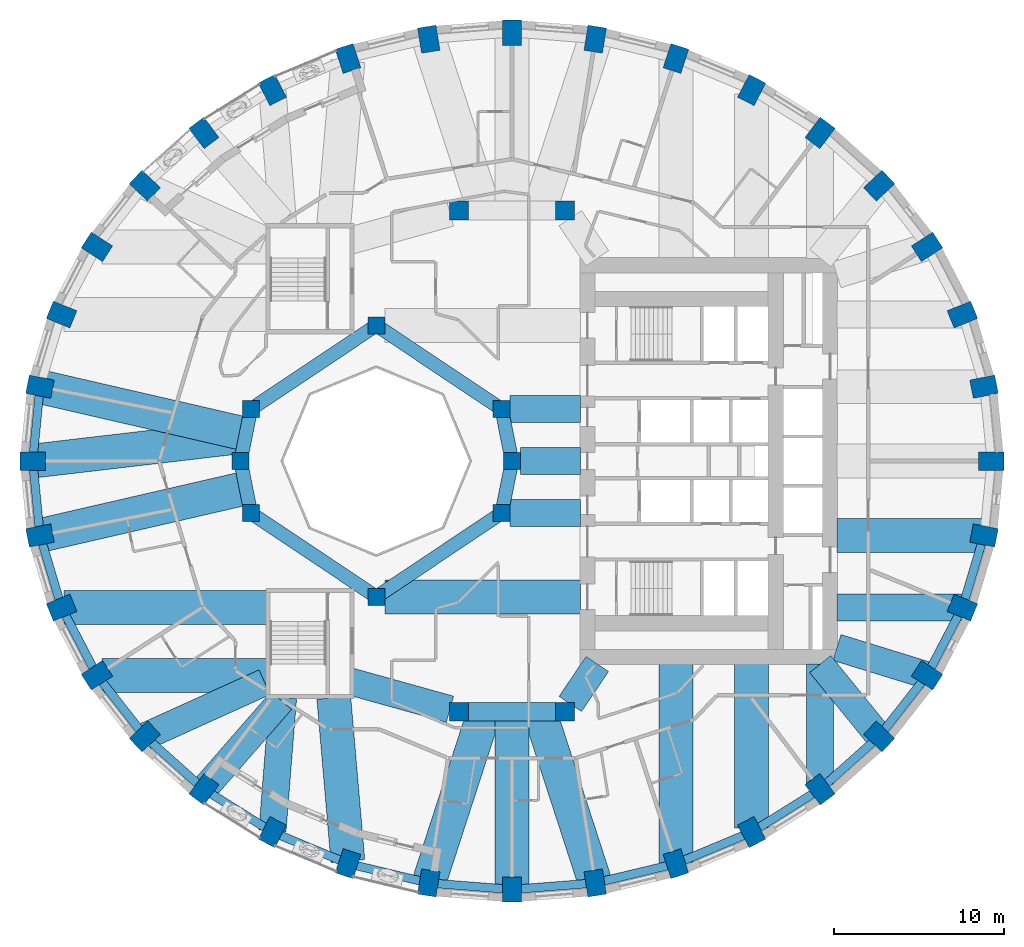
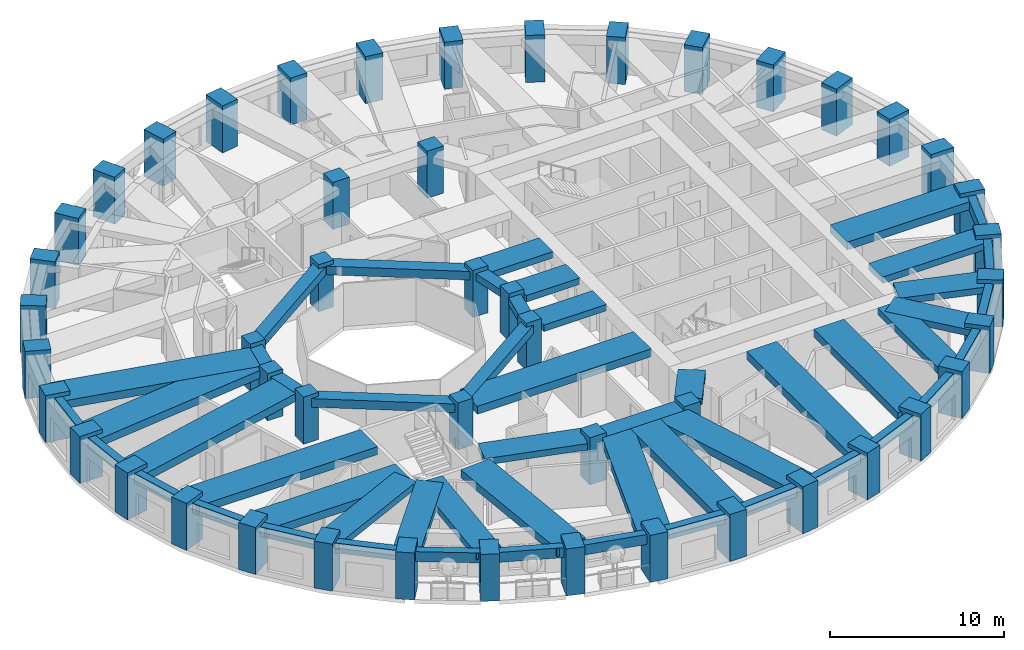
# One storey, part 1 of 13: 52 beams, 48 columns.
"""IFC4 building model written with IfcOpenShell, lengths in metres."""

from ifc_helpers import new_model, si_unit, direction, frame, origin, origin_2d, place, context, subcontext, project, spatial, rectangle, extrude, material, material_profile, profile_set, type_object, element, save


model = new_model("IFC4")

# Units and contexts
model_context = context("Model", 3, precision=1e-05, world=origin(), true_north=direction((0.0, 1.0)))
body_context = subcontext(model_context, "Body", "Model", "MODEL_VIEW")
ifc_project = project(units=[si_unit("LENGTHUNIT", "METRE"), si_unit("AREAUNIT", "SQUARE_METRE"), si_unit("VOLUMEUNIT", "CUBIC_METRE"), si_unit("PLANEANGLEUNIT", "RADIAN"), si_unit("MASSUNIT", "GRAM", prefix="KILO")], contexts=[model_context])

# Site, building, storey
site_placement = place(None, origin())
site = spatial("IfcSite", under=ifc_project, at=site_placement, CompositionType="ELEMENT")
building_placement = place(site_placement, origin())
building = spatial("IfcBuilding", under=site, at=building_placement, Name="Taillehof Tower", CompositionType="ELEMENT")
storey_placement = place(building_placement, frame((0.0, 0.0, 48.10009765625)))
storey = spatial("IfcBuildingStorey", under=building, at=storey_placement, Name="L12", CompositionType="ELEMENT", Elevation=48.10009765625)

# Columns
ifc_material_1 = material(Name="Concrete C50/60", Category="concrete")
ifc_material_profile_1 = material_profile(ifc_material_1, rectangle(XDim=1.0, YDim=1.0, at=origin_2d()), Name="RC 1000x1000")
ifc_profile_set_1 = profile_set([ifc_material_profile_1], Name="Concrete C50/60")
column_type_1 = type_object("IfcColumnType", Name="Atrium ring column C50/60 1000x1000", PredefinedType="COLUMN", material=ifc_profile_set_1)
for number, where, z_axis, x_axis, name in (
    (1, (0.0, 0.0, 0.0), (0.0, 0.0, 1.0), (1.0, 0.0, 0.0), "Column AC01"),
    (2, (-8.0, 8.0, 0.0), (0.0, 0.0, 1.0), (1.0, 0.0, 0.0), "Column AC05"),
    (3, (-15.39111328125, 3.0615234375, 0.0), (0.0, 0.0, 1.0), (1.0, 0.0, 0.0), "Column AC08"),
    (4, (-16.0, 0.0, 0.0), (0.0, 0.0, 1.0), (1.0, 0.0, 0.0), "Column AC09"),
    (5, (-15.39111328125, -3.0615234375, 0.0), (0.0, 0.0, 1.0), (1.0, 0.0, 0.0), "Column AC10"),
    (6, (-8.0, -8.0, 0.0), (0.0, 0.0, 1.0), (1.0, 0.0, 0.0), "Column AC13"),
):
    element("IfcColumn", number, at=place(storey_placement, frame(where, z_axis=z_axis, x_axis=x_axis)), inside=storey, type_object=column_type_1, Name=name, PredefinedType="COLUMN", context=body_context, shape_type="SweptSolid", body=[
        extrude(rectangle(XDim=1.0, YDim=1.0, at=origin_2d()), origin(), (0.0, 0.0, 1.0), 3.2998046875),
    ])
ifc_material_2 = material(Name="Concrete C60/75", Category="concrete")
ifc_material_profile_2 = material_profile(ifc_material_2, rectangle(XDim=1.0, YDim=1.0, at=origin_2d()), Name="RC 1000x1000")
ifc_profile_set_2 = profile_set([ifc_material_profile_2], Name="Concrete C60/75")
column_type_2 = type_object("IfcColumnType", Name="Atrium ring column C60/75 1000x1000", PredefinedType="COLUMN", material=ifc_profile_set_2)
for number, where, z_axis, x_axis, name in (
    (7, (-0.60888671875, 3.0615234375, 0.0), (0.0, 0.0, 1.0), (1.0, 0.0, 0.0), "Column AC02"),
    (8, (-0.60888671875, -3.0615234375, 0.0), (0.0, 0.0, 1.0), (1.0, 0.0, 0.0), "Column AC16"),
):
    element("IfcColumn", number, at=place(storey_placement, frame(where, z_axis=z_axis, x_axis=x_axis)), inside=storey, type_object=column_type_2, Name=name, PredefinedType="COLUMN", context=body_context, shape_type="SweptSolid", body=[
        extrude(rectangle(XDim=1.0, YDim=1.0, at=origin_2d()), origin(), (0.0, 0.0, 1.0), 3.2998046875),
    ])
ifc_material_3 = material(Name="Concrete C60/75", Category="concrete")
ifc_material_profile_3 = material_profile(ifc_material_3, rectangle(XDim=1.10009765625, YDim=1.10009765625, at=origin_2d()), Name="RC 1100x1100")
ifc_profile_set_3 = profile_set([ifc_material_profile_3], Name="Concrete C60/75")
column_type_3 = type_object("IfcColumnType", Name="Mid-ring column C60/75 1100x1100", PredefinedType="COLUMN", material=ifc_profile_set_3)
for number, where, z_axis, x_axis, name in (
    (9, (3.125732421875, 14.772216796875, 0.0), (0.0, 0.0, 1.0), (1.0, 0.0, 0.0), "Column MC05"),
    (10, (3.125732421875, -14.772216796875, 0.0), (0.0, 0.0, 1.0), (1.0, 0.0, 0.0), "Column MC15"),
):
    element("IfcColumn", number, at=place(storey_placement, frame(where, z_axis=z_axis, x_axis=x_axis)), inside=storey, type_object=column_type_3, Name=name, PredefinedType="COLUMN", context=body_context, shape_type="SweptSolid", body=[
        extrude(rectangle(XDim=1.10009765625, YDim=1.10009765625, at=origin_2d()), origin(), (0.0, 0.0, 1.0), 3.2998046875),
    ])
ifc_material_4 = material(Name="Concrete C70/85", Category="concrete")
ifc_material_profile_4 = material_profile(ifc_material_4, rectangle(XDim=1.10009765625, YDim=1.10009765625, at=origin_2d()), Name="RC 1100x1100")
ifc_profile_set_4 = profile_set([ifc_material_profile_4], Name="Concrete C70/85")
column_type_4 = type_object("IfcColumnType", Name="Mid-ring column C70/85 1100x1100", PredefinedType="COLUMN", material=ifc_profile_set_4)
for number, where, z_axis, x_axis, name in (
    (11, (-3.125732421875, 14.772216796875, 0.0), (0.0, 0.0, 1.0), (1.0, 0.0, 0.0), "Column MC06"),
    (12, (-3.125732421875, -14.772216796875, 0.0), (0.0, 0.0, 1.0), (1.0, 0.0, 0.0), "Column MC14"),
):
    element("IfcColumn", number, at=place(storey_placement, frame(where, z_axis=z_axis, x_axis=x_axis)), inside=storey, type_object=column_type_4, Name=name, PredefinedType="COLUMN", context=body_context, shape_type="SweptSolid", body=[
        extrude(rectangle(XDim=1.10009765625, YDim=1.10009765625, at=origin_2d()), origin(), (0.0, 0.0, 1.0), 3.2998046875),
    ])
ifc_material_5 = material(Name="Concrete C70/85", Category="concrete")
ifc_material_profile_5 = material_profile(ifc_material_5, rectangle(XDim=1.5, YDim=1.10009765625, at=origin_2d()), Name="RC 1500x1100")
ifc_profile_set_5 = profile_set([ifc_material_profile_5], Name="Concrete C70/85")
column_type_5 = type_object("IfcColumnType", Name="Ring column C70/85 1500x1100", PredefinedType="COLUMN", material=ifc_profile_set_5)
for number, where, z_axis, x_axis, name in (
    (13, (28.25, 0.0, 0.0), (0.0, 0.0, 1.0), (1.0, 0.0, 0.0), "Ring column RC01"),
    (14, (27.82080078125, 4.384521484375, 0.0), (0.0, 0.0, 1.0), (0.98120354895, 0.192975634545, 0.0), "Ring column RC02"),
    (15, (26.54638671875, 8.635986328125, 0.0), (0.0, 0.0, 1.0), (0.926558045297, 0.37615181602, 0.0), "Ring column RC03"),
    (16, (24.46533203125, 12.625, 0.0), (0.0, 0.0, 1.0), (0.840753565229, 0.541417992456, 0.0), "Ring column RC04"),
    (17, (21.640869140625, 16.23046875, 0.0), (0.0, 0.0, 1.0), (0.730113022917, 0.683326403535, 0.0), "Ring column RC05"),
    (18, (18.15869140625, 19.342529296875, 0.0), (0.0, 0.0, 1.0), (0.601173783055, 0.79911831575, 0.0), "Ring column RC06"),
    (19, (14.125, 21.8671875, 0.0), (0.0, 0.0, 1.0), (0.459691308511, 0.888078769524, 0.0), "Ring column RC07"),
    (20, (9.662109375, 23.727294921875, 0.0), (0.0, 0.0, 1.0), (0.310219183529, 0.950665060981, 0.0), "Ring column RC08"),
    (21, (4.905517578125, 24.866455078125, 0.0), (0.0, 0.0, 1.0), (0.15614709407, 0.987733812833, 0.0), "Ring column RC09"),
    (22, (0.0, 25.25, 0.0), (0.0, 0.0, 1.0), (0.0, 1.0, 0.0), "Ring column RC10"),
    (23, (-4.905517578125, 24.866455078125, 0.0), (0.0, 0.0, 1.0), (-0.15614709407, 0.987733812833, 0.0), "Ring column RC11"),
    (24, (-9.662109375, 23.727294921875, 0.0), (0.0, 0.0, 1.0), (-0.310219183529, 0.950665060981, 0.0), "Ring column RC12"),
    (25, (-14.125, 21.8671875, 0.0), (0.0, 0.0, 1.0), (-0.459691308511, 0.888078769524, 0.0), "Ring column RC13"),
    (26, (-18.15869140625, 19.342529296875, 0.0), (0.0, 0.0, 1.0), (-0.601173783055, 0.79911831575, 0.0), "Ring column RC14"),
    (27, (-21.640869140625, 16.23046875, 0.0), (0.0, 0.0, 1.0), (-0.730113022917, 0.683326403535, 0.0), "Ring column RC15"),
    (28, (-24.46533203125, 12.625, 0.0), (0.0, 0.0, 1.0), (-0.840753565229, 0.541417992456, 0.0), "Ring column RC16"),
    (29, (-26.54638671875, 8.635986328125, 0.0), (0.0, 0.0, 1.0), (-0.926558045297, 0.37615181602, 0.0), "Ring column RC17"),
    (30, (-27.82080078125, 4.384521484375, 0.0), (0.0, 0.0, 1.0), (-0.98120354895, 0.192975634545, 0.0), "Ring column RC18"),
    (31, (-28.25, 0.0, 0.0), (0.0, 0.0, 1.0), (-1.0, 0.0, 0.0), "Ring column RC19"),
    (32, (-27.82080078125, -4.384521484375, 0.0), (0.0, 0.0, 1.0), (-0.98120354895, -0.192975634545, 0.0), "Ring column RC20"),
    (33, (-26.54638671875, -8.635986328125, 0.0), (0.0, 0.0, 1.0), (-0.926558045297, -0.37615181602, 0.0), "Ring column RC21"),
    (34, (-24.46533203125, -12.625, 0.0), (0.0, 0.0, 1.0), (-0.840753565229, -0.541417992456, 0.0), "Ring column RC22"),
    (35, (-21.640869140625, -16.23046875, 0.0), (0.0, 0.0, 1.0), (-0.730113022917, -0.683326403535, 0.0), "Ring column RC23"),
    (36, (-18.15869140625, -19.342529296875, 0.0), (0.0, 0.0, 1.0), (-0.601173783055, -0.79911831575, 0.0), "Ring column RC24"),
    (37, (-14.125, -21.8671875, 0.0), (0.0, 0.0, 1.0), (-0.459691308511, -0.888078769524, 0.0), "Ring column RC25"),
    (38, (-9.662109375, -23.727294921875, 0.0), (0.0, 0.0, 1.0), (-0.310219183529, -0.950665060981, 0.0), "Ring column RC26"),
    (39, (-4.905517578125, -24.866455078125, 0.0), (0.0, 0.0, 1.0), (-0.15614709407, -0.987733812833, 0.0), "Ring column RC27"),
    (40, (0.0, -25.25, 0.0), (0.0, 0.0, 1.0), (0.0, -1.0, 0.0), "Ring column RC28"),
    (41, (4.905517578125, -24.866455078125, 0.0), (0.0, 0.0, 1.0), (0.15614709407, -0.987733812833, 0.0), "Ring column RC29"),
    (42, (9.662109375, -23.727294921875, 0.0), (0.0, 0.0, 1.0), (0.310219183529, -0.950665060981, 0.0), "Ring column RC30"),
    (43, (14.125, -21.8671875, 0.0), (0.0, 0.0, 1.0), (0.459691308511, -0.888078769524, 0.0), "Ring column RC31"),
    (44, (18.15869140625, -19.342529296875, 0.0), (0.0, 0.0, 1.0), (0.601173783055, -0.79911831575, 0.0), "Ring column RC32"),
    (45, (21.640869140625, -16.23046875, 0.0), (0.0, 0.0, 1.0), (0.730113022917, -0.683326403535, 0.0), "Ring column RC33"),
    (46, (24.46533203125, -12.625, 0.0), (0.0, 0.0, 1.0), (0.840753565229, -0.541417992456, 0.0), "Ring column RC34"),
    (47, (26.54638671875, -8.635986328125, 0.0), (0.0, 0.0, 1.0), (0.926558045297, -0.37615181602, 0.0), "Ring column RC35"),
    (48, (27.82080078125, -4.384521484375, 0.0), (0.0, 0.0, 1.0), (0.98120354895, -0.192975634545, 0.0), "Ring column RC36"),
):
    element("IfcColumn", number, at=place(storey_placement, frame(where, z_axis=z_axis, x_axis=x_axis)), inside=storey, type_object=column_type_5, Name=name, PredefinedType="COLUMN", context=body_context, shape_type="SweptSolid", body=[
        extrude(rectangle(XDim=1.5, YDim=1.10009765625, at=origin_2d()), origin(), (0.0, 0.0, 1.0), 3.2998046875),
    ])

# Beams
ifc_material_6 = material(Name="Concrete C50/60", Category="concrete")
ifc_material_profile_6 = material_profile(ifc_material_6, rectangle(XDim=0.800048828125, YDim=0.5, at=origin_2d()), Name="RC 800x500")
ifc_profile_set_6 = profile_set([ifc_material_profile_6], Name="Concrete C50/60")
beam_type_1 = type_object("IfcBeamType", Name="Atrium ring beam C50/60 800x500", PredefinedType="BEAM", material=ifc_profile_set_6)
for number, where, z_axis, x_axis, name in (
    (49, (0.0, 0.0, 2.77001953125), (-0.195063155143, 0.980790683839, 0.0), (-0.980790683839, -0.195063155143, 0.0), "Atrium ring beam AB01"),
    (50, (-15.39111328125, 3.0615234375, 2.77001953125), (-0.195063155143, -0.980790683839, 0.0), (0.980790683839, -0.195063155143, 0.0), "Atrium ring beam AB04"),
    (51, (-16.0, 0.0, 2.77001953125), (0.195063155143, -0.980790683839, 0.0), (0.980790683839, 0.195063155143, 0.0), "Atrium ring beam AB05"),
    (52, (-0.60888671875, -3.0615234375, 2.77001953125), (0.195063155143, 0.980790683839, 0.0), (-0.980790683839, 0.195063155143, 0.0), "Atrium ring beam AB08"),
):
    element("IfcBeam", number, at=place(storey_placement, frame(where, z_axis=z_axis, x_axis=x_axis)), inside=storey, type_object=beam_type_1, Name=name, PredefinedType="BEAM", context=body_context, shape_type="SweptSolid", body=[
        extrude(rectangle(XDim=0.800048828125, YDim=0.5, at=origin_2d()), origin(), (0.0, 0.0, 1.0), 3.12158203125),
    ])
ifc_material_7 = material(Name="Concrete C50/60", Category="concrete")
ifc_material_profile_7 = material_profile(ifc_material_7, rectangle(XDim=0.800048828125, YDim=0.60009765625, at=origin_2d()), Name="RC 800x600")
ifc_profile_set_7 = profile_set([ifc_material_profile_7], Name="Concrete C50/60")
beam_type_2 = type_object("IfcBeamType", Name="Atrium ring beam C50/60 800x600", PredefinedType="BEAM", material=ifc_profile_set_7)
for number, where, z_axis, x_axis, name in (
    (53, (-0.60888671875, 3.0615234375, 2.719970703125), (-0.831475195687, 0.555561876804, 0.0), (-0.555561876804, -0.831475195687, 0.0), "Atrium ring beam AB02"),
    (54, (-8.0, 8.0, 2.719970703125), (-0.831475195687, -0.555561876804, 0.0), (0.555561876804, -0.831475195687, 0.0), "Atrium ring beam AB03"),
    (55, (-15.39111328125, -3.0615234375, 2.719970703125), (0.831475195687, -0.555561876804, 0.0), (0.555561876804, 0.831475195687, 0.0), "Atrium ring beam AB06"),
    (56, (-8.0, -8.0, 2.719970703125), (0.831475195687, 0.555561876804, 0.0), (-0.555561876804, 0.831475195687, 0.0), "Atrium ring beam AB07"),
):
    element("IfcBeam", number, at=place(storey_placement, frame(where, z_axis=z_axis, x_axis=x_axis)), inside=storey, type_object=beam_type_2, Name=name, PredefinedType="BEAM", context=body_context, shape_type="SweptSolid", body=[
        extrude(rectangle(XDim=0.800048828125, YDim=0.60009765625, at=origin_2d()), origin(), (0.0, 0.0, 1.0), 8.88916015625),
    ])
ifc_material_8 = material(Name="Concrete C50/60", Category="concrete")
ifc_material_profile_8 = material_profile(ifc_material_8, rectangle(XDim=1.10009765625, YDim=0.60009765625, at=origin_2d()), Name="RC 1100x600")
ifc_profile_set_8 = profile_set([ifc_material_profile_8], Name="Concrete C50/60")
beam_type_3 = type_object("IfcBeamType", Name="Mid-ring beam C50/60 1100x600", PredefinedType="BEAM", material=ifc_profile_set_8)
beam_1_placement = place(storey_placement, frame((-3.125732421875, -14.772216796875, 2.719970703125), z_axis=(1.0, 0.0, 0.0), x_axis=(0.0, 1.0, 0.0)))
element("IfcBeam", 57, at=beam_1_placement, inside=storey, type_object=beam_type_3, Name="Mid-ring beam MB02", PredefinedType="BEAM", context=body_context, shape_type="SweptSolid", body=[
    extrude(rectangle(XDim=1.10009765625, YDim=0.60009765625, at=origin_2d()), origin(), (0.0, 0.0, 1.0), 6.25146484375),
])
ifc_material_9 = material(Name="Concrete C50/60", Category="concrete")
ifc_material_profile_9 = material_profile(ifc_material_9, rectangle(XDim=1.60009765625, YDim=0.449951171875, at=origin_2d()), Name="RC 1600x450")
ifc_profile_set_9 = profile_set([ifc_material_profile_9], Name="Concrete C50/60")
beam_type_4 = type_object("IfcBeamType", Name="Radial band beam C50/60 1600x450", PredefinedType="BEAM", material=ifc_profile_set_9)
beam_2_placement = place(storey_placement, frame((-21.632568359375, -16.226806640625, 2.794921875), z_axis=(0.911100590789, 0.412184077161, 0.0), x_axis=(-0.412184077161, 0.911100590789, 0.0)))
element("IfcBeam", 58, at=beam_2_placement, inside=storey, type_object=beam_type_4, Name="Radial band beam RB23", PredefinedType="BEAM", context=body_context, shape_type="SweptSolid", body=[
    extrude(rectangle(XDim=1.60009765625, YDim=0.449951171875, at=origin_2d()), origin(), (0.0, 0.0, 1.0), 7.740966796875),
])
beam_3_placement = place(storey_placement, frame((-18.15869140625, -19.342529296875, 2.794921875), z_axis=(0.65721824087, 0.753700327628, 0.0), x_axis=(-0.753700327628, 0.65721824087, 0.0)))
element("IfcBeam", 59, at=beam_3_placement, inside=storey, type_object=beam_type_4, Name="Radial band beam RB24", PredefinedType="BEAM", context=body_context, shape_type="SweptSolid", body=[
    extrude(rectangle(XDim=1.60009765625, YDim=0.449951171875, at=origin_2d()), origin(), (0.0, 0.0, 1.0), 6.9384765625),
])
beam_4_placement = place(storey_placement, frame((-14.119873046875, -21.802978515625, 2.794921875), z_axis=(0.079184740988, 0.996859958467, 0.0), x_axis=(-0.996859958467, 0.079184740988, 0.0)))
element("IfcBeam", 60, at=beam_4_placement, inside=storey, type_object=beam_type_4, Name="Radial band beam RB25", PredefinedType="BEAM", context=body_context, shape_type="SweptSolid", body=[
    extrude(rectangle(XDim=1.60009765625, YDim=0.449951171875, at=origin_2d()), origin(), (0.0, 0.0, 1.0), 7.87744140625),
])
beam_5_placement = place(storey_placement, frame((18.15869140625, -19.05517578125, 2.794921875), z_axis=(0.0, 1.0, 0.0), x_axis=(-1.0, 0.0, 0.0)))
element("IfcBeam", 61, at=beam_5_placement, inside=storey, type_object=beam_type_4, Name="Radial band beam RB32", PredefinedType="BEAM", context=body_context, shape_type="SweptSolid", body=[
    extrude(rectangle(XDim=1.60009765625, YDim=0.449951171875, at=origin_2d()), origin(), (0.0, 0.0, 1.0), 7.105224609375),
])
beam_6_placement = place(storey_placement, frame((21.640869140625, -16.23046875, 2.794921875), z_axis=(-0.630988373846, 0.775792286679, 0.0), x_axis=(-0.775792286679, -0.630988373846, 0.0)))
element("IfcBeam", 62, at=beam_6_placement, inside=storey, type_object=beam_type_4, Name="Radial band beam RB33", PredefinedType="BEAM", context=body_context, shape_type="SweptSolid", body=[
    extrude(rectangle(XDim=1.60009765625, YDim=0.449951171875, at=origin_2d()), origin(), (0.0, 0.0, 1.0), 5.503173828125),
])
beam_7_placement = place(storey_placement, frame((24.46533203125, -12.625, 2.794921875), z_axis=(-0.955535654338, 0.294875589511, 0.0), x_axis=(-0.294875589511, -0.955535654338, 0.0)))
element("IfcBeam", 63, at=beam_7_placement, inside=storey, type_object=beam_type_4, Name="Radial band beam RB34", PredefinedType="BEAM", context=body_context, shape_type="SweptSolid", body=[
    extrude(rectangle(XDim=1.60009765625, YDim=0.449951171875, at=origin_2d()), origin(), (0.0, 0.0, 1.0), 5.560546875),
])
beam_8_placement = place(storey_placement, frame((26.490478515625, -8.635986328125, 2.794921875), z_axis=(-1.0, 0.0, 0.0), x_axis=(0.0, -1.0, 0.0)))
element("IfcBeam", 64, at=beam_8_placement, inside=storey, type_object=beam_type_4, Name="Radial band beam RB35", PredefinedType="BEAM", context=body_context, shape_type="SweptSolid", body=[
    extrude(rectangle(XDim=1.60009765625, YDim=0.449951171875, at=origin_2d()), origin(), (0.0, 0.0, 1.0), 7.340576171875),
])
beam_9_placement = place(storey_placement, frame((0.5, 0.0, 2.794921875), z_axis=(1.0, 0.0, 0.0), x_axis=(0.0, 1.0, 0.0)))
element("IfcBeam", 65, at=beam_9_placement, inside=storey, type_object=beam_type_4, Name="Inner band beam IB101", PredefinedType="BEAM", context=body_context, shape_type="SweptSolid", body=[
    extrude(rectangle(XDim=1.60009765625, YDim=0.449951171875, at=origin_2d()), origin(), (0.0, 0.0, 1.0), 3.550048828125),
])
for number, where, z_axis, x_axis, name in (
    (66, (-0.10888671875, 3.0615234375, 2.794921875), (1.0, 0.0, 0.0), (0.0, 1.0, 0.0), "Inner band beam IB102"),
    (67, (-0.10888671875, -3.0615234375, 2.794921875), (1.0, 0.0, 0.0), (0.0, 1.0, 0.0), "Inner band beam IB116"),
):
    element("IfcBeam", number, at=place(storey_placement, frame(where, z_axis=z_axis, x_axis=x_axis)), inside=storey, type_object=beam_type_4, Name=name, PredefinedType="BEAM", context=body_context, shape_type="SweptSolid", body=[
        extrude(rectangle(XDim=1.60009765625, YDim=0.449951171875, at=origin_2d()), origin(), (0.0, 0.0, 1.0), 4.158935546875),
    ])
beam_10_placement = place(storey_placement, frame((-3.655517578125, -14.624755859375, 2.794921875), z_axis=(-0.963459369536, 0.267854518821, 0.0), x_axis=(-0.267854518821, -0.963459369536, 0.0)))
element("IfcBeam", 68, at=beam_10_placement, inside=storey, type_object=beam_type_4, Name="Inner band beam IB214", PredefinedType="BEAM", context=body_context, shape_type="SweptSolid", body=[
    extrude(rectangle(XDim=1.60009765625, YDim=0.449951171875, at=origin_2d()), origin(), (0.0, 0.0, 1.0), 6.096923828125),
])
beam_11_placement = place(storey_placement, frame((3.433837890625, -14.31640625, 2.794921875), z_axis=(0.560112043398, 0.828416862962, 0.0), x_axis=(-0.828416862962, 0.560112043398, 0.0)))
element("IfcBeam", 69, at=beam_11_placement, inside=storey, type_object=beam_type_4, Name="Inner band beam IB215", PredefinedType="BEAM", context=body_context, shape_type="SweptSolid", body=[
    extrude(rectangle(XDim=1.60009765625, YDim=0.449951171875, at=origin_2d()), origin(), (0.0, 0.0, 1.0), 2.84619140625),
])
ifc_material_10 = material(Name="Concrete C50/60", Category="concrete")
ifc_material_profile_10 = material_profile(ifc_material_10, rectangle(XDim=2.0, YDim=0.550048828125, at=origin_2d()), Name="RC 2000x550")
ifc_profile_set_10 = profile_set([ifc_material_profile_10], Name="Concrete C50/60")
beam_type_5 = type_object("IfcBeamType", Name="Radial band beam C50/60 2000x550", PredefinedType="BEAM", material=ifc_profile_set_10)
beam_12_placement = place(storey_placement, frame((-27.82080078125, 4.384521484375, 2.744873046875), z_axis=(0.974509005862, -0.2243483842, 0.0), x_axis=(0.2243483842, 0.974509005862, 0.0)))
element("IfcBeam", 70, at=beam_12_placement, inside=storey, type_object=beam_type_5, Name="Radial band beam RB18", PredefinedType="BEAM", context=body_context, shape_type="SweptSolid", body=[
    extrude(rectangle(XDim=2.0, YDim=0.550048828125, at=origin_2d()), origin(), (0.0, 0.0, 1.0), 12.45458984375),
])
beam_13_placement = place(storey_placement, frame((-28.25, 0.0, 2.744873046875), z_axis=(0.993191188018, 0.11649576835, 0.0), x_axis=(-0.11649576835, 0.993191188018, 0.0)))
element("IfcBeam", 71, at=beam_13_placement, inside=storey, type_object=beam_type_5, Name="Radial band beam RB19", PredefinedType="BEAM", context=body_context, shape_type="SweptSolid", body=[
    extrude(rectangle(XDim=2.0, YDim=0.550048828125, at=origin_2d()), origin(), (0.0, 0.0, 1.0), 12.628662109375),
])
beam_14_placement = place(storey_placement, frame((-27.82080078125, -4.384521484375, 2.744873046875), z_axis=(0.974509005862, 0.2243483842, 0.0), x_axis=(-0.2243483842, 0.974509005862, 0.0)))
element("IfcBeam", 72, at=beam_14_placement, inside=storey, type_object=beam_type_5, Name="Radial band beam RB20", PredefinedType="BEAM", context=body_context, shape_type="SweptSolid", body=[
    extrude(rectangle(XDim=2.0, YDim=0.550048828125, at=origin_2d()), origin(), (0.0, 0.0, 1.0), 12.45458984375),
])
beam_15_placement = place(storey_placement, frame((-26.408935546875, -8.635986328125, 2.744873046875), z_axis=(1.0, 0.0, 0.0), x_axis=(0.0, 1.0, 0.0)))
element("IfcBeam", 73, at=beam_15_placement, inside=storey, type_object=beam_type_5, Name="Radial band beam RB21", PredefinedType="BEAM", context=body_context, shape_type="SweptSolid", body=[
    extrude(rectangle(XDim=2.0, YDim=0.550048828125, at=origin_2d()), origin(), (0.0, 0.0, 1.0), 11.958984375),
])
beam_16_placement = place(storey_placement, frame((-24.172607421875, -12.625, 2.744873046875), z_axis=(1.0, 0.0, 0.0), x_axis=(0.0, 1.0, 0.0)))
element("IfcBeam", 74, at=beam_16_placement, inside=storey, type_object=beam_type_5, Name="Radial band beam RB22", PredefinedType="BEAM", context=body_context, shape_type="SweptSolid", body=[
    extrude(rectangle(XDim=2.0, YDim=0.550048828125, at=origin_2d()), origin(), (0.0, 0.0, 1.0), 9.72265625),
])
beam_17_placement = place(storey_placement, frame((-9.675048828125, -23.575927734375, 2.744873046875), z_axis=(-0.085841202752, 0.996308831593, 0.0), x_axis=(-0.996308831593, -0.085841202752, 0.0)))
element("IfcBeam", 75, at=beam_17_placement, inside=storey, type_object=beam_type_5, Name="Radial band beam RB26", PredefinedType="BEAM", context=body_context, shape_type="SweptSolid", body=[
    extrude(rectangle(XDim=2.0, YDim=0.550048828125, at=origin_2d()), origin(), (0.0, 0.0, 1.0), 9.661376953125),
])
beam_18_placement = place(storey_placement, frame((-4.905517578125, -24.866455078125, 2.744873046875), z_axis=(0.309014294595, 0.951057393503, 0.0), x_axis=(-0.951057393503, 0.309014294595, 0.0)))
element("IfcBeam", 76, at=beam_18_placement, inside=storey, type_object=beam_type_5, Name="Radial band beam RB27", PredefinedType="BEAM", context=body_context, shape_type="SweptSolid", body=[
    extrude(rectangle(XDim=2.0, YDim=0.550048828125, at=origin_2d()), origin(), (0.0, 0.0, 1.0), 10.61376953125),
])
beam_19_placement = place(storey_placement, frame((0.0, -25.25, 2.744873046875), z_axis=(0.0, 1.0, 0.0), x_axis=(-1.0, 0.0, 0.0)))
element("IfcBeam", 77, at=beam_19_placement, inside=storey, type_object=beam_type_5, Name="Radial band beam RB28", PredefinedType="BEAM", context=body_context, shape_type="SweptSolid", body=[
    extrude(rectangle(XDim=2.0, YDim=0.550048828125, at=origin_2d()), origin(), (0.0, 0.0, 1.0), 10.477783203125),
])
beam_20_placement = place(storey_placement, frame((4.905517578125, -24.866455078125, 2.744873046875), z_axis=(-0.309014294595, 0.951057393503, 0.0), x_axis=(-0.951057393503, -0.309014294595, 0.0)))
element("IfcBeam", 78, at=beam_20_placement, inside=storey, type_object=beam_type_5, Name="Radial band beam RB29", PredefinedType="BEAM", context=body_context, shape_type="SweptSolid", body=[
    extrude(rectangle(XDim=2.0, YDim=0.550048828125, at=origin_2d()), origin(), (0.0, 0.0, 1.0), 10.61376953125),
])
beam_21_placement = place(storey_placement, frame((9.662109375, -23.664794921875, 2.744873046875), z_axis=(0.0, 1.0, 0.0), x_axis=(-1.0, 0.0, 0.0)))
element("IfcBeam", 79, at=beam_21_placement, inside=storey, type_object=beam_type_5, Name="Radial band beam RB30", PredefinedType="BEAM", context=body_context, shape_type="SweptSolid", body=[
    extrude(rectangle(XDim=2.0, YDim=0.550048828125, at=origin_2d()), origin(), (0.0, 0.0, 1.0), 11.71484375),
])
beam_22_placement = place(storey_placement, frame((14.125, -21.63232421875, 2.744873046875), z_axis=(0.0, 1.0, 0.0), x_axis=(-1.0, 0.0, 0.0)))
element("IfcBeam", 80, at=beam_22_placement, inside=storey, type_object=beam_type_5, Name="Radial band beam RB31", PredefinedType="BEAM", context=body_context, shape_type="SweptSolid", body=[
    extrude(rectangle(XDim=2.0, YDim=0.550048828125, at=origin_2d()), origin(), (0.0, 0.0, 1.0), 9.682373046875),
])
beam_23_placement = place(storey_placement, frame((27.82080078125, -4.384521484375, 2.744873046875), z_axis=(-1.0, 0.0, 0.0), x_axis=(0.0, -1.0, 0.0)))
element("IfcBeam", 81, at=beam_23_placement, inside=storey, type_object=beam_type_5, Name="Radial band beam RB36", PredefinedType="BEAM", context=body_context, shape_type="SweptSolid", body=[
    extrude(rectangle(XDim=2.0, YDim=0.550048828125, at=origin_2d()), origin(), (0.0, 0.0, 1.0), 8.6708984375),
])
beam_24_placement = place(storey_placement, frame((-7.5, -8.0, 2.744873046875), z_axis=(1.0, 0.0, 0.0), x_axis=(0.0, 1.0, 0.0)))
element("IfcBeam", 82, at=beam_24_placement, inside=storey, type_object=beam_type_5, Name="Inner band beam IB113", PredefinedType="BEAM", context=body_context, shape_type="SweptSolid", body=[
    extrude(rectangle(XDim=2.0, YDim=0.550048828125, at=origin_2d()), origin(), (0.0, 0.0, 1.0), 11.550048828125),
])
ifc_material_11 = material(Name="Concrete C50/60", Category="concrete")
ifc_material_profile_11 = material_profile(ifc_material_11, rectangle(XDim=0.5, YDim=0.699951171875, at=origin_2d()), Name="RC 500x700")
ifc_profile_set_11 = profile_set([ifc_material_profile_11], Name="Concrete C50/60")
beam_type_6 = type_object("IfcBeamType", Name="Spandrel beam C50/60 500x700", PredefinedType="SPANDREL", material=ifc_profile_set_11)
for number, where, z_axis, x_axis, name in (
    (83, (-27.82080078125, 4.384521484375, 2.669921875), (-0.097423973567, -0.99524297002, 0.0), (0.99524297002, -0.097423973567, 0.0), "Spandrel beam SB18"),
    (84, (-28.25, 0.0, 2.669921875), (0.097423973567, -0.99524297002, 0.0), (0.99524297002, 0.097423973567, 0.0), "Spandrel beam SB19"),
):
    element("IfcBeam", number, at=place(storey_placement, frame(where, z_axis=z_axis, x_axis=x_axis)), inside=storey, type_object=beam_type_6, Name=name, PredefinedType="SPANDREL", context=body_context, shape_type="SweptSolid", body=[
        extrude(rectangle(XDim=0.5, YDim=0.699951171875, at=origin_2d()), origin(), (0.0, 0.0, 1.0), 4.405517578125),
    ])
beam_25_placement = place(storey_placement, frame((-27.82080078125, -4.384521484375, 2.669921875), z_axis=(0.287135925407, -0.957889847707, 0.0), x_axis=(0.957889847707, 0.287135925407, 0.0)))
element("IfcBeam", 85, at=beam_25_placement, inside=storey, type_object=beam_type_6, Name="Spandrel beam SB20", PredefinedType="SPANDREL", context=body_context, shape_type="SweptSolid", body=[
    extrude(rectangle(XDim=0.5, YDim=0.699951171875, at=origin_2d()), origin(), (0.0, 0.0, 1.0), 4.4384765625),
])
beam_26_placement = place(storey_placement, frame((-26.54638671875, -8.635986328125, 2.669921875), z_axis=(0.462536335232, -0.886600326297, 0.0), x_axis=(0.886600326297, 0.462536335232, 0.0)))
element("IfcBeam", 86, at=beam_26_placement, inside=storey, type_object=beam_type_6, Name="Spandrel beam SB21", PredefinedType="SPANDREL", context=body_context, shape_type="SweptSolid", body=[
    extrude(rectangle(XDim=0.5, YDim=0.699951171875, at=origin_2d()), origin(), (0.0, 0.0, 1.0), 4.499267578125),
])
beam_27_placement = place(storey_placement, frame((-24.46533203125, -12.625, 2.669921875), z_axis=(0.616686200373, -0.787209076593, 0.0), x_axis=(0.787209076593, 0.616686200373, 0.0)))
element("IfcBeam", 87, at=beam_27_placement, inside=storey, type_object=beam_type_6, Name="Spandrel beam SB22", PredefinedType="SPANDREL", context=body_context, shape_type="SweptSolid", body=[
    extrude(rectangle(XDim=0.5, YDim=0.699951171875, at=origin_2d()), origin(), (0.0, 0.0, 1.0), 4.580078125),
])
beam_28_placement = place(storey_placement, frame((-21.640869140625, -16.23046875, 2.669921875), z_axis=(0.745621283614, -0.666369943366, 0.0), x_axis=(0.666369943366, 0.745621283614, 0.0)))
element("IfcBeam", 88, at=beam_28_placement, inside=storey, type_object=beam_type_6, Name="Spandrel beam SB23", PredefinedType="SPANDREL", context=body_context, shape_type="SweptSolid", body=[
    extrude(rectangle(XDim=0.5, YDim=0.699951171875, at=origin_2d()), origin(), (0.0, 0.0, 1.0), 4.670166015625),
])
beam_29_placement = place(storey_placement, frame((-18.15869140625, -19.342529296875, 2.669921875), z_axis=(0.847658018883, -0.530543007703, 0.0), x_axis=(0.530543007703, 0.847658018883, 0.0)))
element("IfcBeam", 89, at=beam_29_placement, inside=storey, type_object=beam_type_6, Name="Spandrel beam SB24", PredefinedType="SPANDREL", context=body_context, shape_type="SweptSolid", body=[
    extrude(rectangle(XDim=0.5, YDim=0.699951171875, at=origin_2d()), origin(), (0.0, 0.0, 1.0), 4.758544921875),
])
beam_30_placement = place(storey_placement, frame((-14.125, -21.8671875, 2.669921875), z_axis=(0.923035088053, -0.384715773297, 0.0), x_axis=(0.384715773297, 0.923035088053, 0.0)))
element("IfcBeam", 90, at=beam_30_placement, inside=storey, type_object=beam_type_6, Name="Spandrel beam SB25", PredefinedType="SPANDREL", context=body_context, shape_type="SweptSolid", body=[
    extrude(rectangle(XDim=0.5, YDim=0.699951171875, at=origin_2d()), origin(), (0.0, 0.0, 1.0), 4.8349609375),
])
beam_31_placement = place(storey_placement, frame((-9.662109375, -23.727294921875, 2.669921875), z_axis=(0.9724995553, -0.232904733616, 0.0), x_axis=(0.232904733616, 0.9724995553, 0.0)))
element("IfcBeam", 91, at=beam_31_placement, inside=storey, type_object=beam_type_6, Name="Spandrel beam SB26", PredefinedType="SPANDREL", context=body_context, shape_type="SweptSolid", body=[
    extrude(rectangle(XDim=0.5, YDim=0.699951171875, at=origin_2d()), origin(), (0.0, 0.0, 1.0), 4.89111328125),
])
for number, where, z_axis, x_axis, name in (
    (92, (-4.905517578125, -24.866455078125, 2.669921875), (0.996957383661, -0.077948541767, 0.0), (0.077948541767, 0.996957383661, 0.0), "Spandrel beam SB27"),
    (93, (0.0, -25.25, 2.669921875), (0.996957383661, 0.077948541767, 0.0), (-0.077948541767, 0.996957383661, 0.0), "Spandrel beam SB28"),
):
    element("IfcBeam", number, at=place(storey_placement, frame(where, z_axis=z_axis, x_axis=x_axis)), inside=storey, type_object=beam_type_6, Name=name, PredefinedType="SPANDREL", context=body_context, shape_type="SweptSolid", body=[
        extrude(rectangle(XDim=0.5, YDim=0.699951171875, at=origin_2d()), origin(), (0.0, 0.0, 1.0), 4.92041015625),
    ])
beam_32_placement = place(storey_placement, frame((4.905517578125, -24.866455078125, 2.669921875), z_axis=(0.9724995553, 0.232904733616, 0.0), x_axis=(-0.232904733616, 0.9724995553, 0.0)))
element("IfcBeam", 94, at=beam_32_placement, inside=storey, type_object=beam_type_6, Name="Spandrel beam SB29", PredefinedType="SPANDREL", context=body_context, shape_type="SweptSolid", body=[
    extrude(rectangle(XDim=0.5, YDim=0.699951171875, at=origin_2d()), origin(), (0.0, 0.0, 1.0), 4.89111328125),
])
beam_33_placement = place(storey_placement, frame((9.662109375, -23.727294921875, 2.669921875), z_axis=(0.923035088053, 0.384715773297, 0.0), x_axis=(-0.384715773297, 0.923035088053, 0.0)))
element("IfcBeam", 95, at=beam_33_placement, inside=storey, type_object=beam_type_6, Name="Spandrel beam SB30", PredefinedType="SPANDREL", context=body_context, shape_type="SweptSolid", body=[
    extrude(rectangle(XDim=0.5, YDim=0.699951171875, at=origin_2d()), origin(), (0.0, 0.0, 1.0), 4.8349609375),
])
beam_34_placement = place(storey_placement, frame((14.125, -21.8671875, 2.669921875), z_axis=(0.847658018883, 0.530543007703, 0.0), x_axis=(-0.530543007703, 0.847658018883, 0.0)))
element("IfcBeam", 96, at=beam_34_placement, inside=storey, type_object=beam_type_6, Name="Spandrel beam SB31", PredefinedType="SPANDREL", context=body_context, shape_type="SweptSolid", body=[
    extrude(rectangle(XDim=0.5, YDim=0.699951171875, at=origin_2d()), origin(), (0.0, 0.0, 1.0), 4.758544921875),
])
beam_35_placement = place(storey_placement, frame((18.15869140625, -19.342529296875, 2.669921875), z_axis=(0.745621283614, 0.666369943366, 0.0), x_axis=(-0.666369943366, 0.745621283614, 0.0)))
element("IfcBeam", 97, at=beam_35_placement, inside=storey, type_object=beam_type_6, Name="Spandrel beam SB32", PredefinedType="SPANDREL", context=body_context, shape_type="SweptSolid", body=[
    extrude(rectangle(XDim=0.5, YDim=0.699951171875, at=origin_2d()), origin(), (0.0, 0.0, 1.0), 4.670166015625),
])
beam_36_placement = place(storey_placement, frame((21.640869140625, -16.23046875, 2.669921875), z_axis=(0.616686200373, 0.787209076593, 0.0), x_axis=(-0.787209076593, 0.616686200373, 0.0)))
element("IfcBeam", 98, at=beam_36_placement, inside=storey, type_object=beam_type_6, Name="Spandrel beam SB33", PredefinedType="SPANDREL", context=body_context, shape_type="SweptSolid", body=[
    extrude(rectangle(XDim=0.5, YDim=0.699951171875, at=origin_2d()), origin(), (0.0, 0.0, 1.0), 4.580078125),
])
beam_37_placement = place(storey_placement, frame((24.46533203125, -12.625, 2.669921875), z_axis=(0.462536335232, 0.886600326297, 0.0), x_axis=(-0.886600326297, 0.462536335232, 0.0)))
element("IfcBeam", 99, at=beam_37_placement, inside=storey, type_object=beam_type_6, Name="Spandrel beam SB34", PredefinedType="SPANDREL", context=body_context, shape_type="SweptSolid", body=[
    extrude(rectangle(XDim=0.5, YDim=0.699951171875, at=origin_2d()), origin(), (0.0, 0.0, 1.0), 4.499267578125),
])
beam_38_placement = place(storey_placement, frame((26.54638671875, -8.635986328125, 2.669921875), z_axis=(0.287135925407, 0.957889847707, 0.0), x_axis=(-0.957889847707, 0.287135925407, 0.0)))
element("IfcBeam", 100, at=beam_38_placement, inside=storey, type_object=beam_type_6, Name="Spandrel beam SB35", PredefinedType="SPANDREL", context=body_context, shape_type="SweptSolid", body=[
    extrude(rectangle(XDim=0.5, YDim=0.699951171875, at=origin_2d()), origin(), (0.0, 0.0, 1.0), 4.4384765625),
])

save(model, "model.ifc")
